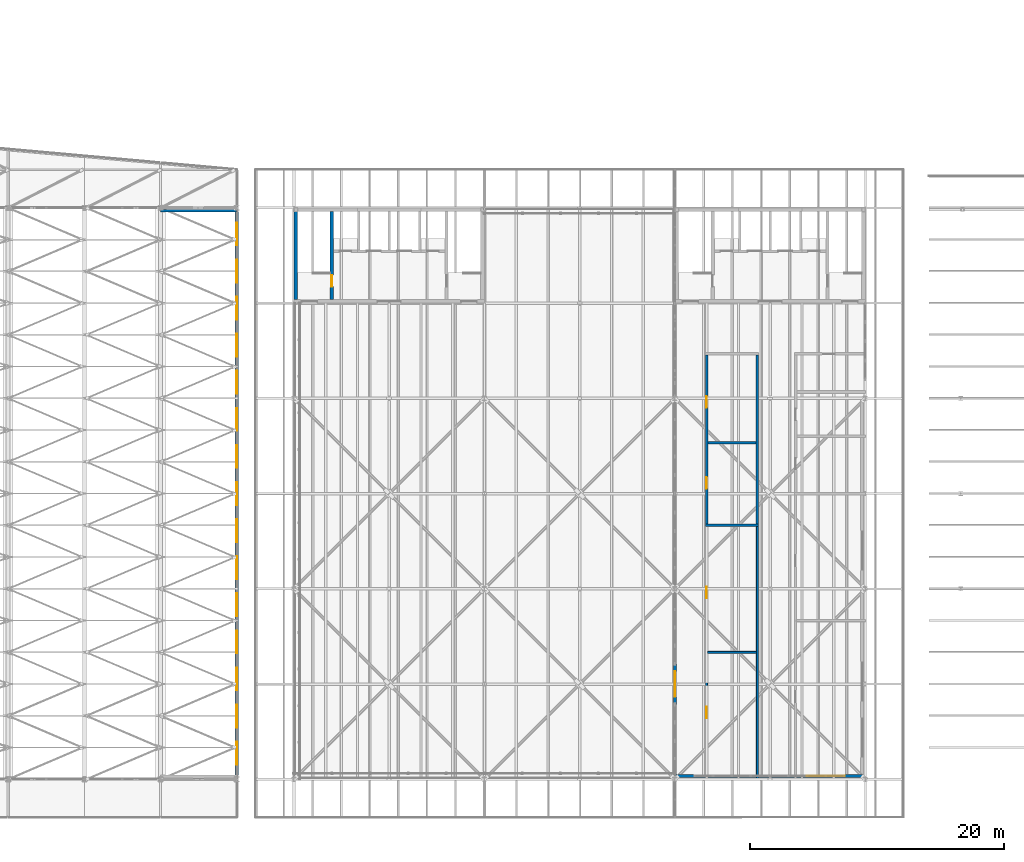
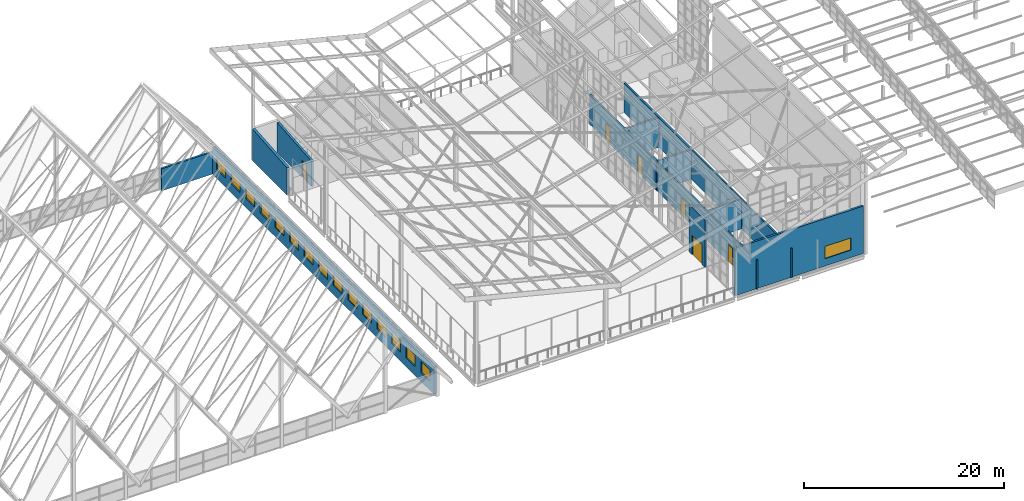
# One storey, part 115 of 483: 16 windows, 13 walls, 6 doors, 22 openings.
"""IFC4 building model written with IfcOpenShell, lengths in metres."""

from ifc_helpers import new_model, si_unit, direction, frame, frame_2d, origin, place, context, subcontext, project, spatial, polyline, rectangle, outline, extrude, material, layer, layer_set, type_object, element, fill, save


model = new_model("IFC4")

# Units and contexts
model_context = context("Model", 3, precision=1e-05, world=origin(), true_north=direction((0.0, 1.0)))
body_context = subcontext(model_context, "Body", "Model", "MODEL_VIEW")
ifc_project = project(units=[si_unit("LENGTHUNIT", "METRE"), si_unit("AREAUNIT", "SQUARE_METRE"), si_unit("VOLUMEUNIT", "CUBIC_METRE"), si_unit("PLANEANGLEUNIT", "RADIAN"), si_unit("MASSUNIT", "GRAM", prefix="KILO")], contexts=[model_context])

# Site, building, storey
site_placement = place(None, origin())
site = spatial("IfcSite", under=ifc_project, at=site_placement, CompositionType="ELEMENT")
building_placement = place(site_placement, origin())
building = spatial("IfcBuilding", under=site, at=building_placement, Name="Parallax Yard Mobility Hub", CompositionType="ELEMENT")
storey_placement = place(building_placement, frame((0.0, 0.0, 13.199951171875)))
storey = spatial("IfcBuildingStorey", under=building, at=storey_placement, Name="L04", CompositionType="ELEMENT", Elevation=13.199951171875)

# Wall
ifc_material_1 = material(Name="Concrete fc' 35 MPa", Category="concrete")
ifc_layer_1 = layer(ifc_material_1, 0.300048828125)
ifc_layer_set_1 = layer_set([ifc_layer_1], Name="Concrete fc' 35 MPa core wall 300")
wall_type_1 = type_object("IfcWallType", Name="Concrete fc' 35 MPa core wall 300", PredefinedType="SHEAR", material=ifc_layer_set_1)
wall_1_placement = place(storey_placement, frame((97.64990234375, 45.300048828125, 0.0), z_axis=(0.0, 0.0, 1.0), x_axis=(0.0, 1.0, 0.0)))
element("IfcWall", 1, at=wall_1_placement, inside=storey, type_object=wall_type_1, Name="Core C6-W west-side end wall level L04", PredefinedType="SHEAR", context=body_context, shape_type="SweptSolid", body=[
    extrude(outline(polyline([(0.0, 0.0), (6.89990234375, 0.0), (6.89990234375, 3.875), (0.0, 3.300048828125), (0.0, 0.0)])), frame((0.0, 0.14990234375, 0.0), z_axis=(0.0, -1.0, 0.0), x_axis=(1.0, 0.0, 0.0)), (0.0, 0.0, 1.0), 0.300048828125),
])

# Wall, opening, door
ifc_layer_2 = layer(ifc_material_1, 0.25)
ifc_layer_set_2 = layer_set([ifc_layer_2], Name="Concrete fc' 35 MPa stair enclosure wall 250")
wall_type_2 = type_object("IfcWallType", Name="Concrete fc' 35 MPa stair enclosure wall 250", PredefinedType="STANDARD", material=ifc_layer_set_2)
wall_2_placement = place(storey_placement, frame((100.47509765625, 45.300048828125, 0.0), z_axis=(0.0, 0.0, 1.0), x_axis=(0.0, 1.0, 0.0)))
wall_2 = element("IfcWall", 2, at=wall_2_placement, inside=storey, type_object=wall_type_2, Name="Core C6-W stair 1 partition level L04", PredefinedType="STANDARD", context=body_context, shape_type="SweptSolid", body=[
    extrude(outline(polyline([(0.0, 0.0), (6.89990234375, 0.0), (6.89990234375, 3.675048828125), (0.0, 3.10009765625), (0.0, 0.0)])), frame((0.0, 0.125, 0.0), z_axis=(0.0, -1.0, 0.0), x_axis=(1.0, 0.0, 0.0)), (0.0, 0.0, 1.0), 0.25),
])
opening_1_placement = place(wall_2_placement, frame((1.0, 0.0, 0.0)))
opening_1 = element("IfcOpeningElement", 3, at=opening_1_placement, cuts=wall_2, Name="Opening L04-D736", PredefinedType="OPENING", context=body_context, shape_type="SweptSolid", body=[
    extrude(rectangle(XDim=0.89990234375, YDim=2.10009765625, at=frame_2d((0.449951171875, 1.050048828125))), frame((0.0, 0.135009765625, 0.0), z_axis=(0.0, -1.0, 0.0), x_axis=(1.0, 0.0, 0.0)), (0.0, 0.0, 1.0), 0.27001953125),
])
ifc_material_2 = material(Name="Hollow metal steel door and frame", Category="steel")
door_type_1 = type_object("IfcDoorType", Name="Core door 900 x 2100 FD90", OperationType="NOTDEFINED", PredefinedType="DOOR", material=ifc_material_2)
door_1_placement = place(opening_1_placement, origin())
door_1 = element("IfcDoor", 4, at=door_1_placement, inside=storey, type_object=door_type_1, Name="Stair lobby door L04-D736, core C6-W level L04", OperationType="SINGLE_SWING_LEFT", OverallHeight=2.10009765625, OverallWidth=0.89990234375, PredefinedType="DOOR", context=body_context, shape_type="SweptSolid", body=[
    extrude(rectangle(XDim=0.89990234375, YDim=2.10009765625, at=frame_2d((0.449951171875, 1.050048828125))), frame((0.0, 0.02490234375, 0.0), z_axis=(0.0, -1.0, 0.0), x_axis=(1.0, 0.0, 0.0)), (0.0, 0.0, 1.0), 0.050048828125),
])
fill(opening_1, door_1)

# Walls
ifc_material_3 = material(Name="Fire-rated plasterboard partition, two layers each side")
ifc_layer_3 = layer(ifc_material_3, 0.199951171875)
ifc_layer_set_3 = layer_set([ifc_layer_3], Name="Fire-rated partition 200 mm")
wall_type_3 = type_object("IfcWallType", Name="Fire-rated partition 200 mm", PredefinedType="PARTITIONING", material=ifc_layer_set_3)
wall_3_placement = place(storey_placement, frame((129.89990234375, 27.5, 0.0), z_axis=(0.0, 0.0, 1.0), x_axis=(1.0, 0.0, 0.0)))
element("IfcWall", 5, at=wall_3_placement, inside=storey, type_object=wall_type_3, Name="Partition 3 level L04", PredefinedType="PARTITIONING", context=body_context, shape_type="SweptSolid", body=[
    extrude(rectangle(XDim=4.2001953125, YDim=0.199951171875, at=frame_2d((2.10009765625, 0.0))), origin(), (0.0, 0.0, 1.0), 3.60009765625),
])
wall_4_placement = place(storey_placement, frame((130.10009765625, 34.0, 0.0), z_axis=(0.0, 0.0, 1.0), x_axis=(1.0, 0.0, 0.0)))
element("IfcWall", 6, at=wall_4_placement, inside=storey, type_object=wall_type_3, Name="Partition 5 level L04", PredefinedType="PARTITIONING", context=body_context, shape_type="SweptSolid", body=[
    extrude(rectangle(XDim=3.7998046875, YDim=0.199951171875, at=frame_2d((1.89990234375, 0.0))), origin(), (0.0, 0.0, 1.0), 3.60009765625),
])

# Wall, openings, doors
wall_5_placement = place(storey_placement, frame((130.0, 27.60009765625, 0.0), z_axis=(0.0, 0.0, 1.0), x_axis=(0.0, 1.0, 0.0)))
wall_5 = element("IfcWall", 7, at=wall_5_placement, inside=storey, type_object=wall_type_3, Name="Partition 11 level L04", PredefinedType="PARTITIONING", context=body_context, shape_type="SweptSolid", body=[
    extrude(rectangle(XDim=13.2998046875, YDim=0.199951171875, at=frame_2d((6.64990234375, 0.0))), origin(), (0.0, 0.0, 1.0), 3.60009765625),
])
opening_2_placement = place(wall_5_placement, frame((2.800048828125, 0.0, 0.0)))
opening_2 = element("IfcOpeningElement", 8, at=opening_2_placement, cuts=wall_5, Name="Opening L04-D204", PredefinedType="OPENING", context=body_context, shape_type="SweptSolid", body=[
    extrude(rectangle(XDim=0.89990234375, YDim=2.10009765625, at=frame_2d((0.449951171875, 1.050048828125))), frame((0.0, 0.10986328125, 0.0), z_axis=(0.0, -1.0, 0.0), x_axis=(1.0, 0.0, 0.0)), (0.0, 0.0, 1.0), 0.219970703125),
])
opening_3_placement = place(wall_5_placement, frame((9.17529296875, 0.0, 0.0)))
opening_3 = element("IfcOpeningElement", 9, at=opening_3_placement, cuts=wall_5, Name="Opening L04-D207", PredefinedType="OPENING", context=body_context, shape_type="SweptSolid", body=[
    extrude(rectangle(XDim=0.89990234375, YDim=2.10009765625, at=frame_2d((0.449951171875, 1.050048828125))), frame((0.0, 0.10986328125, 0.0), z_axis=(0.0, -1.0, 0.0), x_axis=(1.0, 0.0, 0.0)), (0.0, 0.0, 1.0), 0.219970703125),
])
ifc_material_4 = material(Name="Hollow metal fire door leaf with intumescent seals")
door_type_2 = type_object("IfcDoorType", Name="Fire door 900 mm FD60", OperationType="NOTDEFINED", PredefinedType="DOOR", material=ifc_material_4)
door_2_placement = place(opening_2_placement, origin())
door_2 = element("IfcDoor", 10, at=door_2_placement, inside=storey, type_object=door_type_2, Name="Door L04-D204 Plant Room", OperationType="SINGLE_SWING_LEFT", OverallHeight=2.10009765625, OverallWidth=0.89990234375, PredefinedType="DOOR", context=body_context, shape_type="SweptSolid", body=[
    extrude(rectangle(XDim=0.89990234375, YDim=2.10009765625, at=frame_2d((0.449951171875, 1.050048828125))), frame((0.0, 0.02490234375, 0.0), z_axis=(0.0, -1.0, 0.0), x_axis=(1.0, 0.0, 0.0)), (0.0, 0.0, 1.0), 0.050048828125),
])
fill(opening_2, door_2)
door_3_placement = place(opening_3_placement, origin())
door_3 = element("IfcDoor", 11, at=door_3_placement, inside=storey, type_object=door_type_2, Name="Door L04-D207 Sports Store", OperationType="SINGLE_SWING_RIGHT", OverallHeight=2.10009765625, OverallWidth=0.89990234375, PredefinedType="DOOR", context=body_context, shape_type="SweptSolid", body=[
    extrude(rectangle(XDim=0.89990234375, YDim=2.10009765625, at=frame_2d((0.449951171875, 1.050048828125))), frame((0.0, 0.02490234375, 0.0), z_axis=(0.0, -1.0, 0.0), x_axis=(1.0, 0.0, 0.0)), (0.0, 0.0, 1.0), 0.050048828125),
])
fill(opening_3, door_3)

# Walls
wall_6_placement = place(storey_placement, frame((134.0, 27.60009765625, 0.0), z_axis=(0.0, 0.0, 1.0), x_axis=(0.0, 1.0, 0.0)))
element("IfcWall", 12, at=wall_6_placement, inside=storey, type_object=wall_type_3, Name="Partition 13 level L04", PredefinedType="PARTITIONING", context=body_context, shape_type="SweptSolid", body=[
    extrude(rectangle(XDim=13.2998046875, YDim=0.199951171875, at=frame_2d((6.64990234375, 0.0))), origin(), (0.0, 0.0, 1.0), 3.60009765625),
])
ifc_layer_4 = layer(ifc_material_1, 0.219970703125)
ifc_layer_set_4 = layer_set([ifc_layer_4], Name="Gable panel, Concrete fc' 35 MPa precast, 220")
wall_type_4 = type_object("IfcWallType", Name="Gable panel, Concrete fc' 35 MPa precast, 220", PredefinedType="SOLIDWALL", material=ifc_layer_set_4)
wall_7_placement = place(storey_placement, frame((87.0, 52.27099609375, 0.0), z_axis=(0.0, 0.0, 1.0), x_axis=(1.0, 0.0, 0.0)))
element("IfcWall", 13, at=wall_7_placement, inside=storey, type_object=wall_type_4, Name="Bus and taxi deck north gable wall bay 14 level L04", PredefinedType="SOLIDWALL", context=body_context, shape_type="SweptSolid", body=[
    extrude(rectangle(XDim=5.969970703125, YDim=0.219970703125, at=frame_2d((2.98486328125, 0.0))), origin(), (0.0, 0.0, 1.0), 2.7099609375),
])
ifc_material_5 = material(Name="Plasterboard partition on light framing")
ifc_layer_5 = layer(ifc_material_5, 0.14990234375)
ifc_layer_set_5 = layer_set([ifc_layer_5], Name="Partition 150 mm")
wall_type_5 = type_object("IfcWallType", Name="Partition 150 mm", PredefinedType="PARTITIONING", material=ifc_layer_set_5)
wall_8_placement = place(storey_placement, frame((130.074951171875, 17.5, 0.0), z_axis=(0.0, 0.0, 1.0), x_axis=(1.0, 0.0, 0.0)))
element("IfcWall", 14, at=wall_8_placement, inside=storey, type_object=wall_type_5, Name="Partition 1 level L04", PredefinedType="PARTITIONING", context=body_context, shape_type="SweptSolid", body=[
    extrude(rectangle(XDim=3.85009765625, YDim=0.14990234375, at=frame_2d((1.925048828125, 0.0))), origin(), (0.0, 0.0, 1.0), 3.60009765625),
])

# Wall, openings, doors
wall_9_placement = place(storey_placement, frame((130.0, 7.5, 0.0), z_axis=(0.0, 0.0, 1.0), x_axis=(0.0, 1.0, 0.0)))
wall_9 = element("IfcWall", 15, at=wall_9_placement, inside=storey, type_object=wall_type_5, Name="Partition 10 level L04", PredefinedType="PARTITIONING", context=body_context, shape_type="SweptSolid", body=[
    extrude(rectangle(XDim=19.89990234375, YDim=0.14990234375, at=frame_2d((9.949951171875, 0.0))), origin(), (0.0, 0.0, 1.0), 3.60009765625),
])
opening_4_placement = place(wall_9_placement, frame((4.800048828125, 0.0, 0.0)))
opening_4 = element("IfcOpeningElement", 16, at=opening_4_placement, cuts=wall_9, Name="Opening L04-D200", PredefinedType="OPENING", context=body_context, shape_type="SweptSolid", body=[
    extrude(rectangle(XDim=0.89990234375, YDim=2.10009765625, at=frame_2d((0.449951171875, 1.050048828125))), frame((0.0, 0.0849609375, 0.0), z_axis=(0.0, -1.0, 0.0), x_axis=(1.0, 0.0, 0.0)), (0.0, 0.0, 1.0), 0.169921875),
])
opening_5_placement = place(wall_9_placement, frame((14.2626953125, 0.0, 0.0)))
opening_5 = element("IfcOpeningElement", 17, at=opening_5_placement, cuts=wall_9, Name="Opening L04-D202", PredefinedType="OPENING", context=body_context, shape_type="SweptSolid", body=[
    extrude(rectangle(XDim=0.89990234375, YDim=2.10009765625, at=frame_2d((0.449951171875, 1.050048828125))), frame((0.0, 0.0849609375, 0.0), z_axis=(0.0, -1.0, 0.0), x_axis=(1.0, 0.0, 0.0)), (0.0, 0.0, 1.0), 0.169921875),
])
ifc_material_6 = material(Name="Solid timber door leaf", Category="wood")
door_type_3 = type_object("IfcDoorType", Name="Interior door 900 mm", OperationType="NOTDEFINED", PredefinedType="DOOR", material=ifc_material_6)
door_4_placement = place(opening_4_placement, origin())
door_4 = element("IfcDoor", 18, at=door_4_placement, inside=storey, type_object=door_type_3, Name="Door L04-D200 Men's Changing Room", OperationType="SINGLE_SWING_LEFT", OverallHeight=2.10009765625, OverallWidth=0.89990234375, PredefinedType="DOOR", context=body_context, shape_type="SweptSolid", body=[
    extrude(rectangle(XDim=0.89990234375, YDim=2.10009765625, at=frame_2d((0.449951171875, 1.050048828125))), frame((0.0, 0.02490234375, 0.0), z_axis=(0.0, -1.0, 0.0), x_axis=(1.0, 0.0, 0.0)), (0.0, 0.0, 1.0), 0.050048828125),
])
fill(opening_4, door_4)
door_5_placement = place(opening_5_placement, origin())
door_5 = element("IfcDoor", 19, at=door_5_placement, inside=storey, type_object=door_type_3, Name="Door L04-D202 Women's Changing Room", OperationType="SINGLE_SWING_RIGHT", OverallHeight=2.10009765625, OverallWidth=0.89990234375, PredefinedType="DOOR", context=body_context, shape_type="SweptSolid", body=[
    extrude(rectangle(XDim=0.89990234375, YDim=2.10009765625, at=frame_2d((0.449951171875, 1.050048828125))), frame((0.0, 0.02490234375, 0.0), z_axis=(0.0, -1.0, 0.0), x_axis=(1.0, 0.0, 0.0)), (0.0, 0.0, 1.0), 0.050048828125),
])
fill(opening_5, door_5)

# Wall
wall_10_placement = place(storey_placement, frame((134.0, 7.5, 0.0), z_axis=(0.0, 0.0, 1.0), x_axis=(0.0, 1.0, 0.0)))
element("IfcWall", 20, at=wall_10_placement, inside=storey, type_object=wall_type_5, Name="Partition 12 level L04", PredefinedType="PARTITIONING", context=body_context, shape_type="SweptSolid", body=[
    extrude(rectangle(XDim=19.89990234375, YDim=0.14990234375, at=frame_2d((9.949951171875, 0.0))), origin(), (0.0, 0.0, 1.0), 3.60009765625),
])

# Wall, opening, door
ifc_layer_6 = layer(ifc_material_1, 0.22998046875)
ifc_layer_set_6 = layer_set([ifc_layer_6], Name="Pavilion wall, Concrete fc' 35 MPa precast, 230 with insulation lining")
wall_type_6 = type_object("IfcWallType", Name="Pavilion wall, Concrete fc' 35 MPa precast, 230 with insulation lining", PredefinedType="SOLIDWALL", material=ifc_layer_set_6)
wall_11_placement = place(storey_placement, frame((127.5, 13.39990234375, 0.0), z_axis=(0.0, 0.0, 1.0), x_axis=(0.0, 1.0, 0.0)))
wall_11 = element("IfcWall", 21, at=wall_11_placement, inside=storey, type_object=wall_type_6, Name="Rooftop sports deck west door pier bay 1 level L04", PredefinedType="SOLIDWALL", context=body_context, shape_type="SweptSolid", body=[
    extrude(rectangle(XDim=3.2001953125, YDim=0.22998046875, at=frame_2d((1.60009765625, 0.0))), origin(), (0.0, 0.0, 1.0), 5.800048828125),
])
opening_6_placement = place(wall_11_placement, frame((0.60009765625, 0.0, 0.0)))
opening_6 = element("IfcOpeningElement", 22, at=opening_6_placement, cuts=wall_11, Name="Opening L04-D101", PredefinedType="OPENING", context=body_context, shape_type="SweptSolid", body=[
    extrude(rectangle(XDim=2.0, YDim=2.39990234375, at=frame_2d((1.0, 1.199951171875))), frame((0.0, 0.125, 0.0), z_axis=(0.0, -1.0, 0.0), x_axis=(1.0, 0.0, 0.0)), (0.0, 0.0, 1.0), 0.25),
])
ifc_material_7 = material(Name="Aluminium frame with laminated glass leaves", Category="aluminium")
door_type_4 = type_object("IfcDoorType", Name="Court door double 2000 x 2400", OperationType="DOUBLE_DOOR_SINGLE_SWING", PredefinedType="DOOR", material=ifc_material_7)
door_6_placement = place(opening_6_placement, origin())
door_6 = element("IfcDoor", 23, at=door_6_placement, inside=storey, type_object=door_type_4, Name="Entrance door L04-D101", OperationType="DOUBLE_DOOR_SINGLE_SWING", OverallHeight=2.39990234375, OverallWidth=2.0, PredefinedType="DOOR", context=body_context, shape_type="SweptSolid", body=[
    extrude(rectangle(XDim=2.0, YDim=2.39990234375, at=frame_2d((1.0, 1.199951171875))), frame((0.0, 0.02490234375, 0.0), z_axis=(0.0, -1.0, 0.0), x_axis=(1.0, 0.0, 0.0)), (0.0, 0.0, 1.0), 0.050048828125),
])
fill(opening_6, door_6)

# Wall, opening, window
wall_12_placement = place(storey_placement, frame((127.53759765625, 7.754638671875, 0.0), z_axis=(0.0, 0.0, 1.0), x_axis=(1.0, 0.0, 0.0)))
wall_12 = element("IfcWall", 24, at=wall_12_placement, inside=storey, type_object=wall_type_6, Name="Rooftop sports deck south wall bay 1 level L04", PredefinedType="SOLIDWALL", context=body_context, shape_type="SweptSolid", body=[
    extrude(rectangle(XDim=14.808837890625, YDim=0.22998046875, at=frame_2d((7.404296875, 0.0))), origin(), (0.0, 0.0, 1.0), 5.800048828125),
])
opening_7_placement = place(wall_12_placement, frame((10.356689453125, 0.0, 0.89990234375)))
opening_7 = element("IfcOpeningElement", 25, at=opening_7_placement, cuts=wall_12, Name="Opening W7", PredefinedType="OPENING", context=body_context, shape_type="SweptSolid", body=[
    extrude(rectangle(XDim=3.0, YDim=1.5, at=frame_2d((1.5, 0.75))), frame((0.0, 0.125, 0.0), z_axis=(0.0, -1.0, 0.0), x_axis=(1.0, 0.0, 0.0)), (0.0, 0.0, 1.0), 0.25),
])
ifc_material_8 = material(Name="Double glazed low-E unit in thermally broken aluminium frame", Category="aluminium")
window_type_1 = type_object("IfcWindowType", Name="Meeting room window 3000 x 1500", PartitioningType="TRIPLE_PANEL_VERTICAL", PredefinedType="WINDOW", material=ifc_material_8)
window_1_placement = place(opening_7_placement, origin())
window_1 = element("IfcWindow", 26, at=window_1_placement, inside=storey, type_object=window_type_1, Name="Window W7 level L04", OverallHeight=1.5, OverallWidth=3.0, PartitioningType="TRIPLE_PANEL_VERTICAL", PredefinedType="WINDOW", context=body_context, shape_type="SweptSolid", body=[
    extrude(rectangle(XDim=3.0, YDim=1.5, at=frame_2d((1.5, 0.75))), frame((0.0, 0.030029296875, 0.0), z_axis=(0.0, -1.0, 0.0), x_axis=(1.0, 0.0, 0.0)), (0.0, 0.0, 1.0), 0.06005859375),
])
fill(opening_7, window_1)

# Wall, openings, windows
ifc_layer_7 = layer(ifc_material_1, 0.300048828125)
ifc_layer_set_7 = layer_set([ifc_layer_7], Name="Portal end wall, Concrete fc' 35 MPa precast, 300")
wall_type_7 = type_object("IfcWallType", Name="Portal end wall, Concrete fc' 35 MPa precast, 300", PredefinedType="SOLIDWALL", material=ifc_layer_set_7)
wall_13_placement = place(storey_placement, frame((93.0, 7.8388671875, 0.0), z_axis=(0.0, 0.0, 1.0), x_axis=(0.0, 1.0, 0.0)))
wall_13 = element("IfcWall", 27, at=wall_13_placement, inside=storey, type_object=wall_type_7, Name="Bus and taxi deck east end wall bay 1 level L04", PredefinedType="SOLIDWALL", context=body_context, shape_type="SweptSolid", body=[
    extrude(rectangle(XDim=44.322265625, YDim=0.300048828125, at=frame_2d((22.1611328125, 0.0))), origin(), (0.0, 0.0, 1.0), 3.300048828125),
])
opening_8_placement = place(wall_13_placement, frame((0.820068359375, 0.0, 1.10009765625)))
opening_8 = element("IfcOpeningElement", 28, at=opening_8_placement, cuts=wall_13, Name="Opening LV2", PredefinedType="OPENING", context=body_context, shape_type="SweptSolid", body=[
    extrude(rectangle(XDim=1.800048828125, YDim=1.39990234375, at=frame_2d((0.89990234375, 0.699951171875))), frame((0.0, 0.16015625, 0.0), z_axis=(0.0, -1.0, 0.0), x_axis=(1.0, 0.0, 0.0)), (0.0, 0.0, 1.0), 0.320068359375),
])
opening_9_placement = place(wall_13_placement, frame((3.740234375, 0.0, 1.10009765625)))
opening_9 = element("IfcOpeningElement", 29, at=opening_9_placement, cuts=wall_13, Name="Opening LV2", PredefinedType="OPENING", context=body_context, shape_type="SweptSolid", body=[
    extrude(rectangle(XDim=1.800048828125, YDim=1.39990234375, at=frame_2d((0.89990234375, 0.699951171875))), frame((0.0, 0.16015625, 0.0), z_axis=(0.0, -1.0, 0.0), x_axis=(1.0, 0.0, 0.0)), (0.0, 0.0, 1.0), 0.320068359375),
])
opening_10_placement = place(wall_13_placement, frame((6.660400390625, 0.0, 1.10009765625)))
opening_10 = element("IfcOpeningElement", 30, at=opening_10_placement, cuts=wall_13, Name="Opening LV2", PredefinedType="OPENING", context=body_context, shape_type="SweptSolid", body=[
    extrude(rectangle(XDim=1.800048828125, YDim=1.39990234375, at=frame_2d((0.89990234375, 0.699951171875))), frame((0.0, 0.16015625, 0.0), z_axis=(0.0, -1.0, 0.0), x_axis=(1.0, 0.0, 0.0)), (0.0, 0.0, 1.0), 0.320068359375),
])
opening_11_placement = place(wall_13_placement, frame((9.58056640625, 0.0, 1.10009765625)))
opening_11 = element("IfcOpeningElement", 31, at=opening_11_placement, cuts=wall_13, Name="Opening LV2", PredefinedType="OPENING", context=body_context, shape_type="SweptSolid", body=[
    extrude(rectangle(XDim=1.800048828125, YDim=1.39990234375, at=frame_2d((0.89990234375, 0.699951171875))), frame((0.0, 0.16015625, 0.0), z_axis=(0.0, -1.0, 0.0), x_axis=(1.0, 0.0, 0.0)), (0.0, 0.0, 1.0), 0.320068359375),
])
opening_12_placement = place(wall_13_placement, frame((12.500732421875, 0.0, 1.10009765625)))
opening_12 = element("IfcOpeningElement", 32, at=opening_12_placement, cuts=wall_13, Name="Opening LV2", PredefinedType="OPENING", context=body_context, shape_type="SweptSolid", body=[
    extrude(rectangle(XDim=1.800048828125, YDim=1.39990234375, at=frame_2d((0.89990234375, 0.699951171875))), frame((0.0, 0.16015625, 0.0), z_axis=(0.0, -1.0, 0.0), x_axis=(1.0, 0.0, 0.0)), (0.0, 0.0, 1.0), 0.320068359375),
])
opening_13_placement = place(wall_13_placement, frame((15.4208984375, 0.0, 1.10009765625)))
opening_13 = element("IfcOpeningElement", 33, at=opening_13_placement, cuts=wall_13, Name="Opening LV2", PredefinedType="OPENING", context=body_context, shape_type="SweptSolid", body=[
    extrude(rectangle(XDim=1.800048828125, YDim=1.39990234375, at=frame_2d((0.89990234375, 0.699951171875))), frame((0.0, 0.16015625, 0.0), z_axis=(0.0, -1.0, 0.0), x_axis=(1.0, 0.0, 0.0)), (0.0, 0.0, 1.0), 0.320068359375),
])
opening_14_placement = place(wall_13_placement, frame((18.341064453125, 0.0, 1.10009765625)))
opening_14 = element("IfcOpeningElement", 34, at=opening_14_placement, cuts=wall_13, Name="Opening LV2", PredefinedType="OPENING", context=body_context, shape_type="SweptSolid", body=[
    extrude(rectangle(XDim=1.800048828125, YDim=1.39990234375, at=frame_2d((0.89990234375, 0.699951171875))), frame((0.0, 0.16015625, 0.0), z_axis=(0.0, -1.0, 0.0), x_axis=(1.0, 0.0, 0.0)), (0.0, 0.0, 1.0), 0.320068359375),
])
opening_15_placement = place(wall_13_placement, frame((21.260986328125, 0.0, 1.10009765625)))
opening_15 = element("IfcOpeningElement", 35, at=opening_15_placement, cuts=wall_13, Name="Opening LV2", PredefinedType="OPENING", context=body_context, shape_type="SweptSolid", body=[
    extrude(rectangle(XDim=1.800048828125, YDim=1.39990234375, at=frame_2d((0.89990234375, 0.699951171875))), frame((0.0, 0.16015625, 0.0), z_axis=(0.0, -1.0, 0.0), x_axis=(1.0, 0.0, 0.0)), (0.0, 0.0, 1.0), 0.320068359375),
])
opening_16_placement = place(wall_13_placement, frame((24.18115234375, 0.0, 1.10009765625)))
opening_16 = element("IfcOpeningElement", 36, at=opening_16_placement, cuts=wall_13, Name="Opening LV2", PredefinedType="OPENING", context=body_context, shape_type="SweptSolid", body=[
    extrude(rectangle(XDim=1.800048828125, YDim=1.39990234375, at=frame_2d((0.89990234375, 0.699951171875))), frame((0.0, 0.16015625, 0.0), z_axis=(0.0, -1.0, 0.0), x_axis=(1.0, 0.0, 0.0)), (0.0, 0.0, 1.0), 0.320068359375),
])
opening_17_placement = place(wall_13_placement, frame((27.101318359375, 0.0, 1.10009765625)))
opening_17 = element("IfcOpeningElement", 37, at=opening_17_placement, cuts=wall_13, Name="Opening LV2", PredefinedType="OPENING", context=body_context, shape_type="SweptSolid", body=[
    extrude(rectangle(XDim=1.800048828125, YDim=1.39990234375, at=frame_2d((0.89990234375, 0.699951171875))), frame((0.0, 0.16015625, 0.0), z_axis=(0.0, -1.0, 0.0), x_axis=(1.0, 0.0, 0.0)), (0.0, 0.0, 1.0), 0.320068359375),
])
opening_18_placement = place(wall_13_placement, frame((30.021484375, 0.0, 1.10009765625)))
opening_18 = element("IfcOpeningElement", 38, at=opening_18_placement, cuts=wall_13, Name="Opening LV2", PredefinedType="OPENING", context=body_context, shape_type="SweptSolid", body=[
    extrude(rectangle(XDim=1.800048828125, YDim=1.39990234375, at=frame_2d((0.89990234375, 0.699951171875))), frame((0.0, 0.16015625, 0.0), z_axis=(0.0, -1.0, 0.0), x_axis=(1.0, 0.0, 0.0)), (0.0, 0.0, 1.0), 0.320068359375),
])
opening_19_placement = place(wall_13_placement, frame((32.941650390625, 0.0, 1.10009765625)))
opening_19 = element("IfcOpeningElement", 39, at=opening_19_placement, cuts=wall_13, Name="Opening LV2", PredefinedType="OPENING", context=body_context, shape_type="SweptSolid", body=[
    extrude(rectangle(XDim=1.800048828125, YDim=1.39990234375, at=frame_2d((0.89990234375, 0.699951171875))), frame((0.0, 0.16015625, 0.0), z_axis=(0.0, -1.0, 0.0), x_axis=(1.0, 0.0, 0.0)), (0.0, 0.0, 1.0), 0.320068359375),
])
opening_20_placement = place(wall_13_placement, frame((35.86181640625, 0.0, 1.10009765625)))
opening_20 = element("IfcOpeningElement", 40, at=opening_20_placement, cuts=wall_13, Name="Opening LV2", PredefinedType="OPENING", context=body_context, shape_type="SweptSolid", body=[
    extrude(rectangle(XDim=1.800048828125, YDim=1.39990234375, at=frame_2d((0.89990234375, 0.699951171875))), frame((0.0, 0.16015625, 0.0), z_axis=(0.0, -1.0, 0.0), x_axis=(1.0, 0.0, 0.0)), (0.0, 0.0, 1.0), 0.320068359375),
])
opening_21_placement = place(wall_13_placement, frame((38.781982421875, 0.0, 1.10009765625)))
opening_21 = element("IfcOpeningElement", 41, at=opening_21_placement, cuts=wall_13, Name="Opening LV2", PredefinedType="OPENING", context=body_context, shape_type="SweptSolid", body=[
    extrude(rectangle(XDim=1.800048828125, YDim=1.39990234375, at=frame_2d((0.89990234375, 0.699951171875))), frame((0.0, 0.16015625, 0.0), z_axis=(0.0, -1.0, 0.0), x_axis=(1.0, 0.0, 0.0)), (0.0, 0.0, 1.0), 0.320068359375),
])
opening_22_placement = place(wall_13_placement, frame((41.7021484375, 0.0, 1.10009765625)))
opening_22 = element("IfcOpeningElement", 42, at=opening_22_placement, cuts=wall_13, Name="Opening LV2", PredefinedType="OPENING", context=body_context, shape_type="SweptSolid", body=[
    extrude(rectangle(XDim=1.800048828125, YDim=1.39990234375, at=frame_2d((0.89990234375, 0.699951171875))), frame((0.0, 0.16015625, 0.0), z_axis=(0.0, -1.0, 0.0), x_axis=(1.0, 0.0, 0.0)), (0.0, 0.0, 1.0), 0.320068359375),
])
ifc_material_9 = material(Name="Extruded aluminium storm louvre blades in a powder-coated frame", Category="aluminium")
window_type_2 = type_object("IfcWindowType", Name="Screen louvre 1800 x 1400", PartitioningType="SINGLE_PANEL", PredefinedType="WINDOW", material=ifc_material_9)
window_2_placement = place(opening_8_placement, origin())
window_2 = element("IfcWindow", 43, at=window_2_placement, inside=storey, type_object=window_type_2, Name="LV2 louvre level L04", OverallHeight=1.39990234375, OverallWidth=1.800048828125, PartitioningType="SINGLE_PANEL", PredefinedType="WINDOW", context=body_context, shape_type="SweptSolid", body=[
    extrude(rectangle(XDim=1.800048828125, YDim=1.39990234375, at=frame_2d((0.89990234375, 0.699951171875))), frame((0.0, 0.030029296875, 0.0), z_axis=(0.0, -1.0, 0.0), x_axis=(1.0, 0.0, 0.0)), (0.0, 0.0, 1.0), 0.06005859375),
])
fill(opening_8, window_2)
window_3_placement = place(opening_9_placement, origin())
window_3 = element("IfcWindow", 44, at=window_3_placement, inside=storey, type_object=window_type_2, Name="LV2 louvre level L04", OverallHeight=1.39990234375, OverallWidth=1.800048828125, PartitioningType="SINGLE_PANEL", PredefinedType="WINDOW", context=body_context, shape_type="SweptSolid", body=[
    extrude(rectangle(XDim=1.800048828125, YDim=1.39990234375, at=frame_2d((0.89990234375, 0.699951171875))), frame((0.0, 0.030029296875, 0.0), z_axis=(0.0, -1.0, 0.0), x_axis=(1.0, 0.0, 0.0)), (0.0, 0.0, 1.0), 0.06005859375),
])
fill(opening_9, window_3)
window_4_placement = place(opening_10_placement, origin())
window_4 = element("IfcWindow", 45, at=window_4_placement, inside=storey, type_object=window_type_2, Name="LV2 louvre level L04", OverallHeight=1.39990234375, OverallWidth=1.800048828125, PartitioningType="SINGLE_PANEL", PredefinedType="WINDOW", context=body_context, shape_type="SweptSolid", body=[
    extrude(rectangle(XDim=1.800048828125, YDim=1.39990234375, at=frame_2d((0.89990234375, 0.699951171875))), frame((0.0, 0.030029296875, 0.0), z_axis=(0.0, -1.0, 0.0), x_axis=(1.0, 0.0, 0.0)), (0.0, 0.0, 1.0), 0.06005859375),
])
fill(opening_10, window_4)
window_5_placement = place(opening_11_placement, origin())
window_5 = element("IfcWindow", 46, at=window_5_placement, inside=storey, type_object=window_type_2, Name="LV2 louvre level L04", OverallHeight=1.39990234375, OverallWidth=1.800048828125, PartitioningType="SINGLE_PANEL", PredefinedType="WINDOW", context=body_context, shape_type="SweptSolid", body=[
    extrude(rectangle(XDim=1.800048828125, YDim=1.39990234375, at=frame_2d((0.89990234375, 0.699951171875))), frame((0.0, 0.030029296875, 0.0), z_axis=(0.0, -1.0, 0.0), x_axis=(1.0, 0.0, 0.0)), (0.0, 0.0, 1.0), 0.06005859375),
])
fill(opening_11, window_5)
window_6_placement = place(opening_12_placement, origin())
window_6 = element("IfcWindow", 47, at=window_6_placement, inside=storey, type_object=window_type_2, Name="LV2 louvre level L04", OverallHeight=1.39990234375, OverallWidth=1.800048828125, PartitioningType="SINGLE_PANEL", PredefinedType="WINDOW", context=body_context, shape_type="SweptSolid", body=[
    extrude(rectangle(XDim=1.800048828125, YDim=1.39990234375, at=frame_2d((0.89990234375, 0.699951171875))), frame((0.0, 0.030029296875, 0.0), z_axis=(0.0, -1.0, 0.0), x_axis=(1.0, 0.0, 0.0)), (0.0, 0.0, 1.0), 0.06005859375),
])
fill(opening_12, window_6)
window_7_placement = place(opening_13_placement, origin())
window_7 = element("IfcWindow", 48, at=window_7_placement, inside=storey, type_object=window_type_2, Name="LV2 louvre level L04", OverallHeight=1.39990234375, OverallWidth=1.800048828125, PartitioningType="SINGLE_PANEL", PredefinedType="WINDOW", context=body_context, shape_type="SweptSolid", body=[
    extrude(rectangle(XDim=1.800048828125, YDim=1.39990234375, at=frame_2d((0.89990234375, 0.699951171875))), frame((0.0, 0.030029296875, 0.0), z_axis=(0.0, -1.0, 0.0), x_axis=(1.0, 0.0, 0.0)), (0.0, 0.0, 1.0), 0.06005859375),
])
fill(opening_13, window_7)
window_8_placement = place(opening_14_placement, origin())
window_8 = element("IfcWindow", 49, at=window_8_placement, inside=storey, type_object=window_type_2, Name="LV2 louvre level L04", OverallHeight=1.39990234375, OverallWidth=1.800048828125, PartitioningType="SINGLE_PANEL", PredefinedType="WINDOW", context=body_context, shape_type="SweptSolid", body=[
    extrude(rectangle(XDim=1.800048828125, YDim=1.39990234375, at=frame_2d((0.89990234375, 0.699951171875))), frame((0.0, 0.030029296875, 0.0), z_axis=(0.0, -1.0, 0.0), x_axis=(1.0, 0.0, 0.0)), (0.0, 0.0, 1.0), 0.06005859375),
])
fill(opening_14, window_8)
window_9_placement = place(opening_15_placement, origin())
window_9 = element("IfcWindow", 50, at=window_9_placement, inside=storey, type_object=window_type_2, Name="LV2 louvre level L04", OverallHeight=1.39990234375, OverallWidth=1.800048828125, PartitioningType="SINGLE_PANEL", PredefinedType="WINDOW", context=body_context, shape_type="SweptSolid", body=[
    extrude(rectangle(XDim=1.800048828125, YDim=1.39990234375, at=frame_2d((0.89990234375, 0.699951171875))), frame((0.0, 0.030029296875, 0.0), z_axis=(0.0, -1.0, 0.0), x_axis=(1.0, 0.0, 0.0)), (0.0, 0.0, 1.0), 0.06005859375),
])
fill(opening_15, window_9)
window_10_placement = place(opening_16_placement, origin())
window_10 = element("IfcWindow", 51, at=window_10_placement, inside=storey, type_object=window_type_2, Name="LV2 louvre level L04", OverallHeight=1.39990234375, OverallWidth=1.800048828125, PartitioningType="SINGLE_PANEL", PredefinedType="WINDOW", context=body_context, shape_type="SweptSolid", body=[
    extrude(rectangle(XDim=1.800048828125, YDim=1.39990234375, at=frame_2d((0.89990234375, 0.699951171875))), frame((0.0, 0.030029296875, 0.0), z_axis=(0.0, -1.0, 0.0), x_axis=(1.0, 0.0, 0.0)), (0.0, 0.0, 1.0), 0.06005859375),
])
fill(opening_16, window_10)
window_11_placement = place(opening_17_placement, origin())
window_11 = element("IfcWindow", 52, at=window_11_placement, inside=storey, type_object=window_type_2, Name="LV2 louvre level L04", OverallHeight=1.39990234375, OverallWidth=1.800048828125, PartitioningType="SINGLE_PANEL", PredefinedType="WINDOW", context=body_context, shape_type="SweptSolid", body=[
    extrude(rectangle(XDim=1.800048828125, YDim=1.39990234375, at=frame_2d((0.89990234375, 0.699951171875))), frame((0.0, 0.030029296875, 0.0), z_axis=(0.0, -1.0, 0.0), x_axis=(1.0, 0.0, 0.0)), (0.0, 0.0, 1.0), 0.06005859375),
])
fill(opening_17, window_11)
window_12_placement = place(opening_18_placement, origin())
window_12 = element("IfcWindow", 53, at=window_12_placement, inside=storey, type_object=window_type_2, Name="LV2 louvre level L04", OverallHeight=1.39990234375, OverallWidth=1.800048828125, PartitioningType="SINGLE_PANEL", PredefinedType="WINDOW", context=body_context, shape_type="SweptSolid", body=[
    extrude(rectangle(XDim=1.800048828125, YDim=1.39990234375, at=frame_2d((0.89990234375, 0.699951171875))), frame((0.0, 0.030029296875, 0.0), z_axis=(0.0, -1.0, 0.0), x_axis=(1.0, 0.0, 0.0)), (0.0, 0.0, 1.0), 0.06005859375),
])
fill(opening_18, window_12)
window_13_placement = place(opening_19_placement, origin())
window_13 = element("IfcWindow", 54, at=window_13_placement, inside=storey, type_object=window_type_2, Name="LV2 louvre level L04", OverallHeight=1.39990234375, OverallWidth=1.800048828125, PartitioningType="SINGLE_PANEL", PredefinedType="WINDOW", context=body_context, shape_type="SweptSolid", body=[
    extrude(rectangle(XDim=1.800048828125, YDim=1.39990234375, at=frame_2d((0.89990234375, 0.699951171875))), frame((0.0, 0.030029296875, 0.0), z_axis=(0.0, -1.0, 0.0), x_axis=(1.0, 0.0, 0.0)), (0.0, 0.0, 1.0), 0.06005859375),
])
fill(opening_19, window_13)
window_14_placement = place(opening_20_placement, origin())
window_14 = element("IfcWindow", 55, at=window_14_placement, inside=storey, type_object=window_type_2, Name="LV2 louvre level L04", OverallHeight=1.39990234375, OverallWidth=1.800048828125, PartitioningType="SINGLE_PANEL", PredefinedType="WINDOW", context=body_context, shape_type="SweptSolid", body=[
    extrude(rectangle(XDim=1.800048828125, YDim=1.39990234375, at=frame_2d((0.89990234375, 0.699951171875))), frame((0.0, 0.030029296875, 0.0), z_axis=(0.0, -1.0, 0.0), x_axis=(1.0, 0.0, 0.0)), (0.0, 0.0, 1.0), 0.06005859375),
])
fill(opening_20, window_14)
window_15_placement = place(opening_21_placement, origin())
window_15 = element("IfcWindow", 56, at=window_15_placement, inside=storey, type_object=window_type_2, Name="LV2 louvre level L04", OverallHeight=1.39990234375, OverallWidth=1.800048828125, PartitioningType="SINGLE_PANEL", PredefinedType="WINDOW", context=body_context, shape_type="SweptSolid", body=[
    extrude(rectangle(XDim=1.800048828125, YDim=1.39990234375, at=frame_2d((0.89990234375, 0.699951171875))), frame((0.0, 0.030029296875, 0.0), z_axis=(0.0, -1.0, 0.0), x_axis=(1.0, 0.0, 0.0)), (0.0, 0.0, 1.0), 0.06005859375),
])
fill(opening_21, window_15)
window_16_placement = place(opening_22_placement, origin())
window_16 = element("IfcWindow", 57, at=window_16_placement, inside=storey, type_object=window_type_2, Name="LV2 louvre level L04", OverallHeight=1.39990234375, OverallWidth=1.800048828125, PartitioningType="SINGLE_PANEL", PredefinedType="WINDOW", context=body_context, shape_type="SweptSolid", body=[
    extrude(rectangle(XDim=1.800048828125, YDim=1.39990234375, at=frame_2d((0.89990234375, 0.699951171875))), frame((0.0, 0.030029296875, 0.0), z_axis=(0.0, -1.0, 0.0), x_axis=(1.0, 0.0, 0.0)), (0.0, 0.0, 1.0), 0.06005859375),
])
fill(opening_22, window_16)

save(model, "model.ifc")
